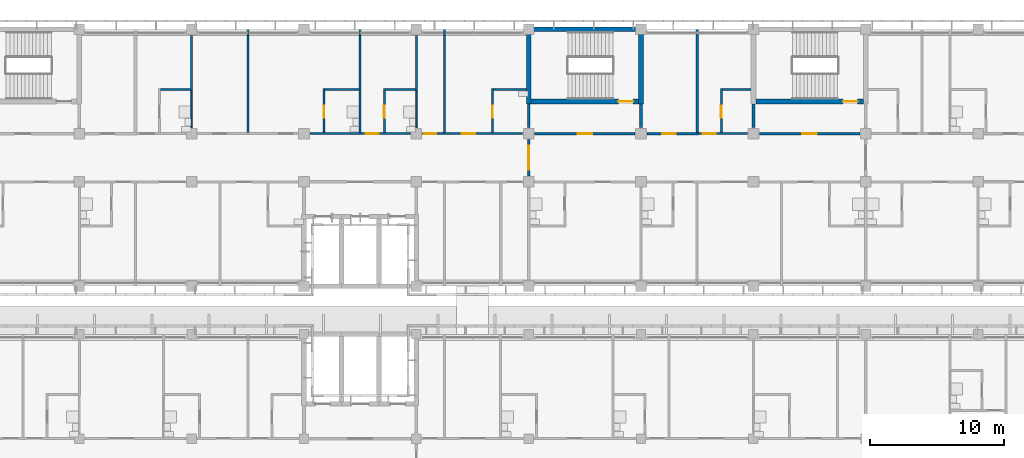
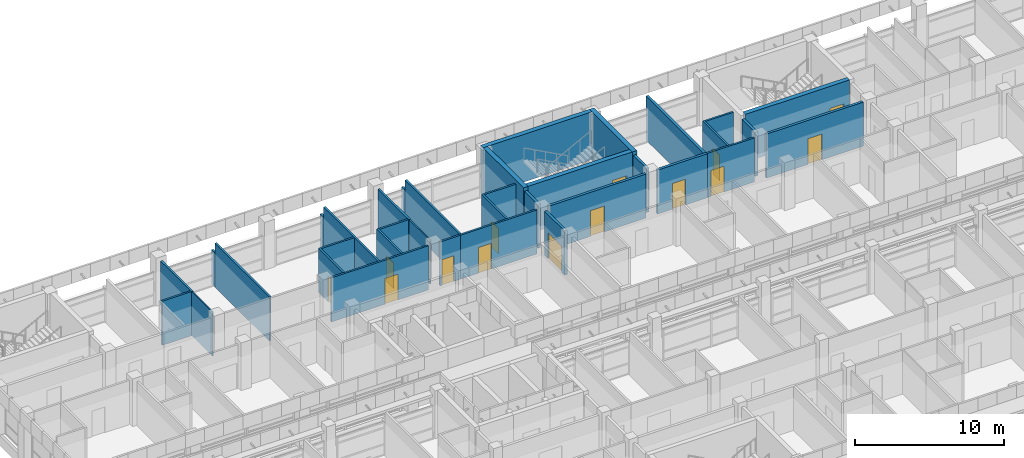
# One storey, part 32 of 71: 36 walls, 14 doors, 14 openings.
"""IFC4 building model written with IfcOpenShell, lengths in metres."""

from ifc_helpers import new_model, si_unit, direction, frame, frame_2d, origin, place, context, subcontext, project, spatial, rectangle, extrude, material, layer, layer_set, type_object, element, fill, save


model = new_model("IFC4")

# Units and contexts
model_context = context("Model", 3, precision=1e-05, world=origin(), true_north=direction((0.0, 1.0)))
body_context = subcontext(model_context, "Body", "Model", "MODEL_VIEW")
ifc_project = project(units=[si_unit("LENGTHUNIT", "METRE"), si_unit("AREAUNIT", "SQUARE_METRE"), si_unit("VOLUMEUNIT", "CUBIC_METRE"), si_unit("PLANEANGLEUNIT", "RADIAN"), si_unit("MASSUNIT", "GRAM", prefix="KILO")], contexts=[model_context])

# Site, building, storey
site_placement = place(None, origin())
site = spatial("IfcSite", under=ifc_project, at=site_placement, CompositionType="ELEMENT")
building_placement = place(site_placement, origin())
building = spatial("IfcBuilding", under=site, at=building_placement, Name="Bougainvillea Quay General Hospital", CompositionType="ELEMENT")
storey_placement = place(building_placement, frame((0.0, 0.0, 24.89990234375)))
storey = spatial("IfcBuildingStorey", under=building, at=storey_placement, Name="L05", CompositionType="ELEMENT", Elevation=24.89990234375)

# Walls
ifc_material_1 = material(Name="Gypsum board partition on steel studs", Category="steel")
ifc_layer_1 = layer(ifc_material_1, 0.10009765625)
ifc_layer_set_1 = layer_set([ifc_layer_1], Name="Gypsum board partition on steel studs")
wall_type_1 = type_object("IfcWallType", Name="Partition 100 Gypsum board partition", PredefinedType="PARTITIONING", material=ifc_layer_set_1)
for number, where, z_axis, x_axis, name in (
    (1, (58.800048828125, 152.25, 0.0), (0.0, 0.0, 1.0), (0.0, 1.0, 0.0), "Partition 100 mm"),
    (2, (75.60009765625, 152.25, 0.0), (0.0, 0.0, 1.0), (0.0, 1.0, 0.0), "Partition 100 mm"),
):
    element("IfcWall", number, at=place(storey_placement, frame(where, z_axis=z_axis, x_axis=x_axis)), inside=storey, type_object=wall_type_1, Name=name, PredefinedType="PARTITIONING", context=body_context, shape_type="SweptSolid", body=[
        extrude(rectangle(XDim=2.77490234375, YDim=0.10009765625, at=frame_2d((1.387451171875, 0.0))), origin(), (0.0, 0.0, 1.0), 3.60009765625),
    ])
ifc_material_2 = material(Name="Gypsum board partition on steel studs, insulated", Category="steel")
ifc_layer_2 = layer(ifc_material_2, 0.14990234375)
ifc_layer_set_2 = layer_set([ifc_layer_2], Name="Gypsum board partition on steel studs, insulated")
wall_type_2 = type_object("IfcWallType", Name="Partition 150 Gypsum board partition", PredefinedType="PARTITIONING", material=ifc_layer_set_2)
wall_1_placement = place(storey_placement, frame((63.0, 151.875, 0.0), z_axis=(0.0, 0.0, 1.0), x_axis=(0.0, 1.0, 0.0)))
element("IfcWall", 3, at=wall_1_placement, inside=storey, type_object=wall_type_2, Name="Partition 150 mm", PredefinedType="PARTITIONING", context=body_context, shape_type="SweptSolid", body=[
    extrude(rectangle(XDim=7.27490234375, YDim=0.14990234375, at=frame_2d((3.637451171875, 0.0))), origin(), (0.0, 0.0, 1.0), 3.60009765625),
])
wall_2_placement = place(storey_placement, frame((63.0, 159.14990234375, 0.0), z_axis=(0.0, 0.0, 1.0), x_axis=(0.0, 1.0, 0.0)))
element("IfcWall", 4, at=wall_2_placement, inside=storey, type_object=wall_type_2, Name="Partition 150 mm", PredefinedType="PARTITIONING", context=body_context, shape_type="SweptSolid", body=[
    extrude(rectangle(XDim=0.4501953125, YDim=0.14990234375, at=frame_2d((0.22509765625, 0.0))), origin(), (0.0, 0.0, 1.0), 2.780029296875),
])
wall_3_placement = place(storey_placement, frame((71.39990234375, 151.875, 0.0), z_axis=(0.0, 0.0, 1.0), x_axis=(0.0, 1.0, 0.0)))
element("IfcWall", 5, at=wall_3_placement, inside=storey, type_object=wall_type_2, Name="Partition 150 mm", PredefinedType="PARTITIONING", context=body_context, shape_type="SweptSolid", body=[
    extrude(rectangle(XDim=7.27490234375, YDim=0.14990234375, at=frame_2d((3.637451171875, 0.0))), origin(), (0.0, 0.0, 1.0), 3.60009765625),
])
wall_4_placement = place(storey_placement, frame((71.39990234375, 159.14990234375, 0.0), z_axis=(0.0, 0.0, 1.0), x_axis=(0.0, 1.0, 0.0)))
element("IfcWall", 6, at=wall_4_placement, inside=storey, type_object=wall_type_2, Name="Partition 150 mm", PredefinedType="PARTITIONING", context=body_context, shape_type="SweptSolid", body=[
    extrude(rectangle(XDim=0.4501953125, YDim=0.14990234375, at=frame_2d((0.22509765625, 0.0))), origin(), (0.0, 0.0, 1.0), 2.780029296875),
])
wall_5_placement = place(storey_placement, frame((77.699951171875, 151.875, 0.0), z_axis=(0.0, 0.0, 1.0), x_axis=(0.0, 1.0, 0.0)))
element("IfcWall", 7, at=wall_5_placement, inside=storey, type_object=wall_type_2, Name="Partition 150 mm", PredefinedType="PARTITIONING", context=body_context, shape_type="SweptSolid", body=[
    extrude(rectangle(XDim=7.27490234375, YDim=0.14990234375, at=frame_2d((3.637451171875, 0.0))), origin(), (0.0, 0.0, 1.0), 3.60009765625),
])
wall_6_placement = place(storey_placement, frame((77.699951171875, 159.14990234375, 0.0), z_axis=(0.0, 0.0, 1.0), x_axis=(0.0, 1.0, 0.0)))
element("IfcWall", 8, at=wall_6_placement, inside=storey, type_object=wall_type_2, Name="Partition 150 mm", PredefinedType="PARTITIONING", context=body_context, shape_type="SweptSolid", body=[
    extrude(rectangle(XDim=0.4501953125, YDim=0.14990234375, at=frame_2d((0.22509765625, 0.0))), origin(), (0.0, 0.0, 1.0), 2.780029296875),
])
for number, where, z_axis, x_axis, name in (
    (9, (58.800048828125, 155.02490234375, 0.0), (0.0, 0.0, 1.0), (0.0, 1.0, 0.0), "Partition 150 mm"),
    (10, (75.60009765625, 155.02490234375, 0.0), (0.0, 0.0, 1.0), (0.0, 1.0, 0.0), "Partition 150 mm"),
):
    element("IfcWall", number, at=place(storey_placement, frame(where, z_axis=z_axis, x_axis=x_axis)), inside=storey, type_object=wall_type_2, Name=name, PredefinedType="PARTITIONING", context=body_context, shape_type="SweptSolid", body=[
        extrude(rectangle(XDim=4.125, YDim=0.14990234375, at=frame_2d((2.0625, 0.0))), origin(), (0.0, 0.0, 1.0), 3.60009765625),
    ])

# Wall, opening, door
wall_7_placement = place(storey_placement, frame((68.699951171875, 151.875, 0.0), z_axis=(0.0, 0.0, 1.0), x_axis=(0.0, 1.0, 0.0)))
wall_7 = element("IfcWall", 11, at=wall_7_placement, inside=storey, type_object=wall_type_2, Name="Partition 150 mm", PredefinedType="PARTITIONING", context=body_context, shape_type="SweptSolid", body=[
    extrude(rectangle(XDim=3.300048828125, YDim=0.14990234375, at=frame_2d((1.64990234375, 0.0))), origin(), (0.0, 0.0, 1.0), 3.60009765625),
])
opening_1_placement = place(wall_7_placement, frame((1.125, 0.0, 0.0)))
opening_1 = element("IfcOpeningElement", 12, at=opening_1_placement, cuts=wall_7, Name="Opening L05.015", PredefinedType="OPENING", context=body_context, shape_type="SweptSolid", body=[
    extrude(rectangle(XDim=0.89990234375, YDim=2.10009765625, at=frame_2d((0.449951171875, 1.050048828125))), frame((0.0, 0.0849609375, 0.0), z_axis=(0.0, -1.0, 0.0), x_axis=(1.0, 0.0, 0.0)), (0.0, 0.0, 1.0), 0.169921875),
])
ifc_material_3 = material(Name="Solid-core timber door leaf in steel frame", Category="steel")
door_type_1 = type_object("IfcDoorType", Name="Single leaf door 900x2100", OperationType="NOTDEFINED", PredefinedType="DOOR", material=ifc_material_3)
door_1_placement = place(opening_1_placement, frame((0.89990234375, 0.0, 0.0), z_axis=(0.0, 0.0, 1.0), x_axis=(-1.0, 0.0, 0.0)))
door_1 = element("IfcDoor", 13, at=door_1_placement, inside=storey, type_object=door_type_1, Name="DT07 L05.015", OperationType="SINGLE_SWING_RIGHT", OverallHeight=2.10009765625, OverallWidth=0.89990234375, PredefinedType="DOOR", context=body_context, shape_type="SweptSolid", body=[
    extrude(rectangle(XDim=0.89990234375, YDim=2.10009765625, at=frame_2d((0.449951171875, 1.050048828125))), frame((0.0, 0.02490234375, 0.0), z_axis=(0.0, -1.0, 0.0), x_axis=(1.0, 0.0, 0.0)), (0.0, 0.0, 1.0), 0.050048828125),
])
fill(opening_1, door_1)

wall_8_placement = place(storey_placement, frame((73.199951171875, 151.875, 0.0), z_axis=(0.0, 0.0, 1.0), x_axis=(0.0, 1.0, 0.0)))
wall_8 = element("IfcWall", 14, at=wall_8_placement, inside=storey, type_object=wall_type_2, Name="Partition 150 mm", PredefinedType="PARTITIONING", context=body_context, shape_type="SweptSolid", body=[
    extrude(rectangle(XDim=3.300048828125, YDim=0.14990234375, at=frame_2d((1.64990234375, 0.0))), origin(), (0.0, 0.0, 1.0), 3.60009765625),
])
opening_2_placement = place(wall_8_placement, frame((1.125, 0.0, 0.0)))
opening_2 = element("IfcOpeningElement", 15, at=opening_2_placement, cuts=wall_8, Name="Opening L05.017", PredefinedType="OPENING", context=body_context, shape_type="SweptSolid", body=[
    extrude(rectangle(XDim=0.89990234375, YDim=2.10009765625, at=frame_2d((0.449951171875, 1.050048828125))), frame((0.0, 0.0849609375, 0.0), z_axis=(0.0, -1.0, 0.0), x_axis=(1.0, 0.0, 0.0)), (0.0, 0.0, 1.0), 0.169921875),
])
door_2_placement = place(opening_2_placement, frame((0.89990234375, 0.0, 0.0), z_axis=(0.0, 0.0, 1.0), x_axis=(-1.0, 0.0, 0.0)))
door_2 = element("IfcDoor", 16, at=door_2_placement, inside=storey, type_object=door_type_1, Name="DT07 L05.017", OperationType="SINGLE_SWING_RIGHT", OverallHeight=2.10009765625, OverallWidth=0.89990234375, PredefinedType="DOOR", context=body_context, shape_type="SweptSolid", body=[
    extrude(rectangle(XDim=0.89990234375, YDim=2.10009765625, at=frame_2d((0.449951171875, 1.050048828125))), frame((0.0, 0.02490234375, 0.0), z_axis=(0.0, -1.0, 0.0), x_axis=(1.0, 0.0, 0.0)), (0.0, 0.0, 1.0), 0.050048828125),
])
fill(opening_2, door_2)

wall_9_placement = place(storey_placement, frame((81.300048828125, 151.875, 0.0), z_axis=(0.0, 0.0, 1.0), x_axis=(0.0, 1.0, 0.0)))
wall_9 = element("IfcWall", 17, at=wall_9_placement, inside=storey, type_object=wall_type_2, Name="Partition 150 mm", PredefinedType="PARTITIONING", context=body_context, shape_type="SweptSolid", body=[
    extrude(rectangle(XDim=3.300048828125, YDim=0.14990234375, at=frame_2d((1.64990234375, 0.0))), origin(), (0.0, 0.0, 1.0), 3.60009765625),
])
opening_3_placement = place(wall_9_placement, frame((1.125, 0.0, 0.0)))
opening_3 = element("IfcOpeningElement", 18, at=opening_3_placement, cuts=wall_9, Name="Opening L05.020", PredefinedType="OPENING", context=body_context, shape_type="SweptSolid", body=[
    extrude(rectangle(XDim=0.89990234375, YDim=2.10009765625, at=frame_2d((0.449951171875, 1.050048828125))), frame((0.0, 0.0849609375, 0.0), z_axis=(0.0, -1.0, 0.0), x_axis=(1.0, 0.0, 0.0)), (0.0, 0.0, 1.0), 0.169921875),
])
door_3_placement = place(opening_3_placement, frame((0.89990234375, 0.0, 0.0), z_axis=(0.0, 0.0, 1.0), x_axis=(-1.0, 0.0, 0.0)))
door_3 = element("IfcDoor", 19, at=door_3_placement, inside=storey, type_object=door_type_1, Name="DT07 L05.020", OperationType="SINGLE_SWING_RIGHT", OverallHeight=2.10009765625, OverallWidth=0.89990234375, PredefinedType="DOOR", context=body_context, shape_type="SweptSolid", body=[
    extrude(rectangle(XDim=0.89990234375, YDim=2.10009765625, at=frame_2d((0.449951171875, 1.050048828125))), frame((0.0, 0.02490234375, 0.0), z_axis=(0.0, -1.0, 0.0), x_axis=(1.0, 0.0, 0.0)), (0.0, 0.0, 1.0), 0.050048828125),
])
fill(opening_3, door_3)

wall_10_placement = place(storey_placement, frame((98.39990234375, 151.875, 0.0), z_axis=(0.0, 0.0, 1.0), x_axis=(0.0, 1.0, 0.0)))
wall_10 = element("IfcWall", 20, at=wall_10_placement, inside=storey, type_object=wall_type_2, Name="Partition 150 mm", PredefinedType="PARTITIONING", context=body_context, shape_type="SweptSolid", body=[
    extrude(rectangle(XDim=3.300048828125, YDim=0.14990234375, at=frame_2d((1.64990234375, 0.0))), origin(), (0.0, 0.0, 1.0), 3.60009765625),
])
opening_4_placement = place(wall_10_placement, frame((1.125, 0.0, 0.0)))
opening_4 = element("IfcOpeningElement", 21, at=opening_4_placement, cuts=wall_10, Name="Opening L05.030", PredefinedType="OPENING", context=body_context, shape_type="SweptSolid", body=[
    extrude(rectangle(XDim=0.89990234375, YDim=2.10009765625, at=frame_2d((0.449951171875, 1.050048828125))), frame((0.0, 0.0849609375, 0.0), z_axis=(0.0, -1.0, 0.0), x_axis=(1.0, 0.0, 0.0)), (0.0, 0.0, 1.0), 0.169921875),
])
door_4_placement = place(opening_4_placement, frame((0.89990234375, 0.0, 0.0), z_axis=(0.0, 0.0, 1.0), x_axis=(-1.0, 0.0, 0.0)))
door_4 = element("IfcDoor", 22, at=door_4_placement, inside=storey, type_object=door_type_1, Name="DT07 L05.030", OperationType="SINGLE_SWING_RIGHT", OverallHeight=2.10009765625, OverallWidth=0.89990234375, PredefinedType="DOOR", context=body_context, shape_type="SweptSolid", body=[
    extrude(rectangle(XDim=0.89990234375, YDim=2.10009765625, at=frame_2d((0.449951171875, 1.050048828125))), frame((0.0, 0.02490234375, 0.0), z_axis=(0.0, -1.0, 0.0), x_axis=(1.0, 0.0, 0.0)), (0.0, 0.0, 1.0), 0.050048828125),
])
fill(opening_4, door_4)

# Walls
wall_11_placement = place(storey_placement, frame((68.77490234375, 155.10009765625, 0.0), z_axis=(0.0, 0.0, 1.0), x_axis=(1.0, 0.0, 0.0)))
element("IfcWall", 23, at=wall_11_placement, inside=storey, type_object=wall_type_2, Name="Partition 150 mm", PredefinedType="PARTITIONING", context=body_context, shape_type="SweptSolid", body=[
    extrude(rectangle(XDim=2.550048828125, YDim=0.14990234375, at=frame_2d((1.27490234375, 0.0))), origin(), (0.0, 0.0, 1.0), 3.60009765625),
])
wall_12_placement = place(storey_placement, frame((81.375, 155.10009765625, 0.0), z_axis=(0.0, 0.0, 1.0), x_axis=(1.0, 0.0, 0.0)))
element("IfcWall", 24, at=wall_12_placement, inside=storey, type_object=wall_type_2, Name="Partition 150 mm", PredefinedType="PARTITIONING", context=body_context, shape_type="SweptSolid", body=[
    extrude(rectangle(XDim=2.449951171875, YDim=0.14990234375, at=frame_2d((1.22509765625, 0.0))), origin(), (0.0, 0.0, 1.0), 3.60009765625),
])
for number, where, z_axis, x_axis, name in (
    (25, (56.47509765625, 155.10009765625, 0.0), (0.0, 0.0, 1.0), (1.0, 0.0, 0.0), "Partition 150 mm"),
    (26, (73.27490234375, 155.10009765625, 0.0), (0.0, 0.0, 1.0), (1.0, 0.0, 0.0), "Partition 150 mm"),
):
    element("IfcWall", number, at=place(storey_placement, frame(where, z_axis=z_axis, x_axis=x_axis)), inside=storey, type_object=wall_type_2, Name=name, PredefinedType="PARTITIONING", context=body_context, shape_type="SweptSolid", body=[
        extrude(rectangle(XDim=2.25, YDim=0.14990234375, at=frame_2d((1.125, 0.0))), origin(), (0.0, 0.0, 1.0), 3.60009765625),
    ])
wall_13_placement = place(storey_placement, frame((98.47509765625, 155.10009765625, 0.0), z_axis=(0.0, 0.0, 1.0), x_axis=(1.0, 0.0, 0.0)))
element("IfcWall", 27, at=wall_13_placement, inside=storey, type_object=wall_type_2, Name="Partition 150 mm", PredefinedType="PARTITIONING", context=body_context, shape_type="SweptSolid", body=[
    extrude(rectangle(XDim=2.14990234375, YDim=0.14990234375, at=frame_2d((1.074951171875, 0.0))), origin(), (0.0, 0.0, 1.0), 3.60009765625),
])

# Wall, opening, door
ifc_layer_3 = layer(ifc_material_2, 0.14990234375)
ifc_layer_set_3 = layer_set([ifc_layer_3], Name="Gypsum board partition on steel studs, insulated")
wall_type_3 = type_object("IfcWallType", Name="Partition 150 Gypsum board partition EI 30", PredefinedType="PARTITIONING", material=ifc_layer_set_3)
wall_14_placement = place(storey_placement, frame((75.14990234375, 151.800048828125, 0.0), z_axis=(0.0, 0.0, 1.0), x_axis=(-1.0, 0.0, 0.0)))
wall_14 = element("IfcWall", 28, at=wall_14_placement, inside=storey, type_object=wall_type_3, Name="Partition 150 mm EI 30", PredefinedType="PARTITIONING", context=body_context, shape_type="SweptSolid", body=[
    extrude(rectangle(XDim=7.5, YDim=0.14990234375, at=frame_2d((3.75, 0.0))), origin(), (0.0, 0.0, 1.0), 3.60009765625),
])
opening_5_placement = place(wall_14_placement, frame((2.35009765625, 0.0, 0.0)))
opening_5 = element("IfcOpeningElement", 29, at=opening_5_placement, cuts=wall_14, Name="Opening L05.016", PredefinedType="OPENING", context=body_context, shape_type="SweptSolid", body=[
    extrude(rectangle(XDim=1.0, YDim=2.10009765625, at=frame_2d((0.5, 1.050048828125))), frame((0.0, 0.0849609375, 0.0), z_axis=(0.0, -1.0, 0.0), x_axis=(1.0, 0.0, 0.0)), (0.0, 0.0, 1.0), 0.169921875),
])
door_type_2 = type_object("IfcDoorType", Name="Single leaf door 1000x2100 FD30S", OperationType="NOTDEFINED", PredefinedType="DOOR", material=ifc_material_3)
door_5_placement = place(opening_5_placement, frame((1.0, 0.0, 0.0), z_axis=(0.0, 0.0, 1.0), x_axis=(-1.0, 0.0, 0.0)))
door_5 = element("IfcDoor", 30, at=door_5_placement, inside=storey, type_object=door_type_2, Name="DT15 L05.016", OperationType="SINGLE_SWING_RIGHT", OverallHeight=2.10009765625, OverallWidth=1.0, PredefinedType="DOOR", context=body_context, shape_type="SweptSolid", body=[
    extrude(rectangle(XDim=1.0, YDim=2.10009765625, at=frame_2d((0.5, 1.050048828125))), frame((0.0, 0.02490234375, 0.0), z_axis=(0.0, -1.0, 0.0), x_axis=(1.0, 0.0, 0.0)), (0.0, 0.0, 1.0), 0.050048828125),
])
fill(opening_5, door_5)

wall_15_placement = place(storey_placement, frame((77.625, 151.800048828125, 0.0), z_axis=(0.0, 0.0, 1.0), x_axis=(1.0, 0.0, 0.0)))
wall_15 = element("IfcWall", 31, at=wall_15_placement, inside=storey, type_object=wall_type_3, Name="Partition 150 mm EI 30", PredefinedType="PARTITIONING", context=body_context, shape_type="SweptSolid", body=[
    extrude(rectangle(XDim=5.925048828125, YDim=0.14990234375, at=frame_2d((2.96240234375, 0.0))), origin(), (0.0, 0.0, 1.0), 3.60009765625),
])
opening_6_placement = place(wall_15_placement, frame((1.375, 0.0, 0.0)))
opening_6 = element("IfcOpeningElement", 32, at=opening_6_placement, cuts=wall_15, Name="Opening L05.019", PredefinedType="OPENING", context=body_context, shape_type="SweptSolid", body=[
    extrude(rectangle(XDim=1.0, YDim=2.10009765625, at=frame_2d((0.5, 1.050048828125))), frame((0.0, 0.0849609375, 0.0), z_axis=(0.0, -1.0, 0.0), x_axis=(1.0, 0.0, 0.0)), (0.0, 0.0, 1.0), 0.169921875),
])
door_6_placement = place(opening_6_placement, origin())
door_6 = element("IfcDoor", 33, at=door_6_placement, inside=storey, type_object=door_type_2, Name="DT15 L05.019", OperationType="SINGLE_SWING_LEFT", OverallHeight=2.10009765625, OverallWidth=1.0, PredefinedType="DOOR", context=body_context, shape_type="SweptSolid", body=[
    extrude(rectangle(XDim=1.0, YDim=2.10009765625, at=frame_2d((0.5, 1.050048828125))), frame((0.0, 0.02490234375, 0.0), z_axis=(0.0, -1.0, 0.0), x_axis=(1.0, 0.0, 0.0)), (0.0, 0.0, 1.0), 0.050048828125),
])
fill(opening_6, door_6)

wall_16_placement = place(storey_placement, frame((96.699951171875, 151.800048828125, 0.0), z_axis=(0.0, 0.0, 1.0), x_axis=(1.0, 0.0, 0.0)))
wall_16 = element("IfcWall", 34, at=wall_16_placement, inside=storey, type_object=wall_type_3, Name="Partition 150 mm EI 30", PredefinedType="PARTITIONING", context=body_context, shape_type="SweptSolid", body=[
    extrude(rectangle(XDim=3.650146484375, YDim=0.14990234375, at=frame_2d((1.8251953125, 0.0))), origin(), (0.0, 0.0, 1.0), 3.60009765625),
])
opening_7_placement = place(wall_16_placement, frame((0.300048828125, 0.0, 0.0)))
opening_7 = element("IfcOpeningElement", 35, at=opening_7_placement, cuts=wall_16, Name="Opening L05.029", PredefinedType="OPENING", context=body_context, shape_type="SweptSolid", body=[
    extrude(rectangle(XDim=1.0, YDim=2.10009765625, at=frame_2d((0.5, 1.050048828125))), frame((0.0, 0.0849609375, 0.0), z_axis=(0.0, -1.0, 0.0), x_axis=(1.0, 0.0, 0.0)), (0.0, 0.0, 1.0), 0.169921875),
])
door_7_placement = place(opening_7_placement, origin())
door_7 = element("IfcDoor", 36, at=door_7_placement, inside=storey, type_object=door_type_2, Name="DT15 L05.029", OperationType="SINGLE_SWING_LEFT", OverallHeight=2.10009765625, OverallWidth=1.0, PredefinedType="DOOR", context=body_context, shape_type="SweptSolid", body=[
    extrude(rectangle(XDim=1.0, YDim=2.10009765625, at=frame_2d((0.5, 1.050048828125))), frame((0.0, 0.02490234375, 0.0), z_axis=(0.0, -1.0, 0.0), x_axis=(1.0, 0.0, 0.0)), (0.0, 0.0, 1.0), 0.050048828125),
])
fill(opening_7, door_7)

ifc_layer_4 = layer(ifc_material_2, 0.14990234375)
ifc_layer_set_4 = layer_set([ifc_layer_4], Name="Gypsum board partition on steel studs, insulated")
wall_type_4 = type_object("IfcWallType", Name="Partition 150 Gypsum board partition EI 60", PredefinedType="PARTITIONING", material=ifc_layer_set_4)
wall_17_placement = place(storey_placement, frame((76.050048828125, 151.800048828125, 0.0), z_axis=(0.0, 0.0, 1.0), x_axis=(1.0, 0.0, 0.0)))
wall_17 = element("IfcWall", 37, at=wall_17_placement, inside=storey, type_object=wall_type_4, Name="Partition 150 mm EI 60", PredefinedType="PARTITIONING", context=body_context, shape_type="SweptSolid", body=[
    extrude(rectangle(XDim=1.574951171875, YDim=0.14990234375, at=frame_2d((0.78759765625, 0.0))), origin(), (0.0, 0.0, 1.0), 3.60009765625),
])
opening_8_placement = place(wall_17_placement, frame((0.14990234375, 0.0, 0.0)))
opening_8 = element("IfcOpeningElement", 38, at=opening_8_placement, cuts=wall_17, Name="Opening L05.018", PredefinedType="OPENING", context=body_context, shape_type="SweptSolid", body=[
    extrude(rectangle(XDim=0.89990234375, YDim=2.10009765625, at=frame_2d((0.449951171875, 1.050048828125))), frame((0.0, 0.0849609375, 0.0), z_axis=(0.0, -1.0, 0.0), x_axis=(1.0, 0.0, 0.0)), (0.0, 0.0, 1.0), 0.169921875),
])
door_type_3 = type_object("IfcDoorType", Name="Single leaf door 900x2100 FD60", OperationType="NOTDEFINED", PredefinedType="DOOR", material=ifc_material_3)
door_8_placement = place(opening_8_placement, origin())
door_8 = element("IfcDoor", 39, at=door_8_placement, inside=storey, type_object=door_type_3, Name="DT18 L05.018", OperationType="SINGLE_SWING_LEFT", OverallHeight=2.10009765625, OverallWidth=0.89990234375, PredefinedType="DOOR", context=body_context, shape_type="SweptSolid", body=[
    extrude(rectangle(XDim=0.89990234375, YDim=2.10009765625, at=frame_2d((0.449951171875, 1.050048828125))), frame((0.0, 0.02490234375, 0.0), z_axis=(0.0, -1.0, 0.0), x_axis=(1.0, 0.0, 0.0)), (0.0, 0.0, 1.0), 0.050048828125),
])
fill(opening_8, door_8)

ifc_material_4 = material(Name="Fire-rated autoclaved aerated block wall, plastered")
ifc_layer_5 = layer(ifc_material_4, 0.199951171875)
ifc_layer_set_5 = layer_set([ifc_layer_5], Name="Fire-rated autoclaved aerated block wall, plastered")
wall_type_5 = type_object("IfcWallType", Name="Partition 200 Fire-rated autoclaved aerated block wall EI 120", PredefinedType="SOLIDWALL", material=ifc_layer_set_5)
wall_18_placement = place(storey_placement, frame((84.0, 148.64990234375, 0.0), z_axis=(0.0, 0.0, 1.0), x_axis=(0.0, 1.0, 0.0)))
wall_18 = element("IfcWall", 40, at=wall_18_placement, inside=storey, type_object=wall_type_5, Name="Partition 200 mm EI 120", PredefinedType="SOLIDWALL", context=body_context, shape_type="SweptSolid", body=[
    extrude(rectangle(XDim=2.7001953125, YDim=0.199951171875, at=frame_2d((1.35009765625, 0.0))), origin(), (0.0, 0.0, 1.0), 3.60009765625),
])
opening_9_placement = place(wall_18_placement, frame((0.449951171875, 0.0, 0.0)))
opening_9 = element("IfcOpeningElement", 41, at=opening_9_placement, cuts=wall_18, Name="Opening L05.001", PredefinedType="OPENING", context=body_context, shape_type="SweptSolid", body=[
    extrude(rectangle(XDim=1.800048828125, YDim=2.10009765625, at=frame_2d((0.89990234375, 1.050048828125))), frame((0.0, 0.10986328125, 0.0), z_axis=(0.0, -1.0, 0.0), x_axis=(1.0, 0.0, 0.0)), (0.0, 0.0, 1.0), 0.219970703125),
])
ifc_material_5 = material(Name="Steel fire door leaves in steel frame", Category="steel")
door_type_4 = type_object("IfcDoorType", Name="Steel double leaf door 1800x2100 FD90", OperationType="DOUBLE_DOOR_SINGLE_SWING", PredefinedType="DOOR", material=ifc_material_5)
door_9_placement = place(opening_9_placement, frame((1.800048828125, 0.0, 0.0), z_axis=(0.0, 0.0, 1.0), x_axis=(-1.0, 0.0, 0.0)))
door_9 = element("IfcDoor", 42, at=door_9_placement, inside=storey, type_object=door_type_4, Name="DT03 L05.001", OperationType="DOUBLE_DOOR_SINGLE_SWING", OverallHeight=2.10009765625, OverallWidth=1.800048828125, PredefinedType="DOOR", context=body_context, shape_type="SweptSolid", body=[
    extrude(rectangle(XDim=1.800048828125, YDim=2.10009765625, at=frame_2d((0.89990234375, 1.050048828125))), frame((0.0, 0.02490234375, 0.0), z_axis=(0.0, -1.0, 0.0), x_axis=(1.0, 0.0, 0.0)), (0.0, 0.0, 1.0), 0.050048828125),
])
fill(opening_9, door_9)

# Wall
wall_19_placement = place(storey_placement, frame((84.0, 152.25, 0.0), z_axis=(0.0, 0.0, 1.0), x_axis=(0.0, 1.0, 0.0)))
element("IfcWall", 43, at=wall_19_placement, inside=storey, type_object=wall_type_5, Name="Partition 200 mm EI 120", PredefinedType="SOLIDWALL", context=body_context, shape_type="SweptSolid", body=[
    extrude(rectangle(XDim=1.77490234375, YDim=0.199951171875, at=frame_2d((0.887451171875, 0.0))), origin(), (0.0, 0.0, 1.0), 3.60009765625),
])

# Wall, opening, door
wall_20_placement = place(storey_placement, frame((84.449951171875, 151.800048828125, 0.0), z_axis=(0.0, 0.0, 1.0), x_axis=(1.0, 0.0, 0.0)))
wall_20 = element("IfcWall", 44, at=wall_20_placement, inside=storey, type_object=wall_type_5, Name="Partition 200 mm EI 120", PredefinedType="SOLIDWALL", context=body_context, shape_type="SweptSolid", body=[
    extrude(rectangle(XDim=7.5, YDim=0.199951171875, at=frame_2d((3.75, 0.0))), origin(), (0.0, 0.0, 1.0), 3.60009765625),
])
opening_10_placement = place(wall_20_placement, frame((3.199951171875, 0.0, 0.0)))
opening_10 = element("IfcOpeningElement", 45, at=opening_10_placement, cuts=wall_20, Name="Opening L05.152", PredefinedType="OPENING", context=body_context, shape_type="SweptSolid", body=[
    extrude(rectangle(XDim=1.10009765625, YDim=2.10009765625, at=frame_2d((0.550048828125, 1.050048828125))), frame((0.0, 0.10986328125, 0.0), z_axis=(0.0, -1.0, 0.0), x_axis=(1.0, 0.0, 0.0)), (0.0, 0.0, 1.0), 0.219970703125),
])
ifc_material_6 = material(Name="Steel fire door leaf in steel frame", Category="steel")
door_type_5 = type_object("IfcDoorType", Name="Steel single leaf door 1100x2100 FD60", OperationType="NOTDEFINED", PredefinedType="DOOR", material=ifc_material_6)
door_10_placement = place(opening_10_placement, origin())
door_10 = element("IfcDoor", 46, at=door_10_placement, inside=storey, type_object=door_type_5, Name="DT04 L05.152", OperationType="SINGLE_SWING_RIGHT", OverallHeight=2.10009765625, OverallWidth=1.10009765625, PredefinedType="DOOR", context=body_context, shape_type="SweptSolid", body=[
    extrude(rectangle(XDim=1.10009765625, YDim=2.10009765625, at=frame_2d((0.550048828125, 1.050048828125))), frame((0.0, 0.02490234375, 0.0), z_axis=(0.0, -1.0, 0.0), x_axis=(1.0, 0.0, 0.0)), (0.0, 0.0, 1.0), 0.050048828125),
])
fill(opening_10, door_10)

wall_21_placement = place(storey_placement, frame((92.85009765625, 151.800048828125, 0.0), z_axis=(0.0, 0.0, 1.0), x_axis=(1.0, 0.0, 0.0)))
wall_21 = element("IfcWall", 47, at=wall_21_placement, inside=storey, type_object=wall_type_5, Name="Partition 200 mm EI 120", PredefinedType="SOLIDWALL", context=body_context, shape_type="SweptSolid", body=[
    extrude(rectangle(XDim=3.849853515625, YDim=0.199951171875, at=frame_2d((1.9248046875, 0.0))), origin(), (0.0, 0.0, 1.0), 3.60009765625),
])
opening_11_placement = place(wall_21_placement, frame((1.14990234375, 0.0, 0.0)))
opening_11 = element("IfcOpeningElement", 48, at=opening_11_placement, cuts=wall_21, Name="Opening L05.069", PredefinedType="OPENING", context=body_context, shape_type="SweptSolid", body=[
    extrude(rectangle(XDim=1.0, YDim=2.10009765625, at=frame_2d((0.5, 1.050048828125))), frame((0.0, 0.10986328125, 0.0), z_axis=(0.0, -1.0, 0.0), x_axis=(1.0, 0.0, 0.0)), (0.0, 0.0, 1.0), 0.219970703125),
])
door_type_6 = type_object("IfcDoorType", Name="Steel single leaf door 1000x2100 FD90", OperationType="NOTDEFINED", PredefinedType="DOOR", material=ifc_material_6)
door_11_placement = place(opening_11_placement, origin())
door_11 = element("IfcDoor", 49, at=door_11_placement, inside=storey, type_object=door_type_6, Name="DT11 L05.069", OperationType="SINGLE_SWING_LEFT", OverallHeight=2.10009765625, OverallWidth=1.0, PredefinedType="DOOR", context=body_context, shape_type="SweptSolid", body=[
    extrude(rectangle(XDim=1.0, YDim=2.10009765625, at=frame_2d((0.5, 1.050048828125))), frame((0.0, 0.02490234375, 0.0), z_axis=(0.0, -1.0, 0.0), x_axis=(1.0, 0.0, 0.0)), (0.0, 0.0, 1.0), 0.050048828125),
])
fill(opening_11, door_11)

# Wall
wall_22_placement = place(storey_placement, frame((92.39990234375, 152.25, 0.0), z_axis=(0.0, 0.0, 1.0), x_axis=(0.0, 1.0, 0.0)))
element("IfcWall", 50, at=wall_22_placement, inside=storey, type_object=wall_type_5, Name="Partition 200 mm EI 120", PredefinedType="SOLIDWALL", context=body_context, shape_type="SweptSolid", body=[
    extrude(rectangle(XDim=1.77490234375, YDim=0.199951171875, at=frame_2d((0.887451171875, 0.0))), origin(), (0.0, 0.0, 1.0), 3.60009765625),
])

# Wall, opening, door
wall_23_placement = place(storey_placement, frame((101.25, 151.800048828125, 0.0), z_axis=(0.0, 0.0, 1.0), x_axis=(1.0, 0.0, 0.0)))
wall_23 = element("IfcWall", 51, at=wall_23_placement, inside=storey, type_object=wall_type_5, Name="Partition 200 mm EI 120", PredefinedType="SOLIDWALL", context=body_context, shape_type="SweptSolid", body=[
    extrude(rectangle(XDim=7.5, YDim=0.199951171875, at=frame_2d((3.75, 0.0))), origin(), (0.0, 0.0, 1.0), 3.60009765625),
])
opening_12_placement = place(wall_23_placement, frame((3.199951171875, 0.0, 0.0)))
opening_12 = element("IfcOpeningElement", 52, at=opening_12_placement, cuts=wall_23, Name="Opening L05.166", PredefinedType="OPENING", context=body_context, shape_type="SweptSolid", body=[
    extrude(rectangle(XDim=1.10009765625, YDim=2.10009765625, at=frame_2d((0.550048828125, 1.050048828125))), frame((0.0, 0.10986328125, 0.0), z_axis=(0.0, -1.0, 0.0), x_axis=(1.0, 0.0, 0.0)), (0.0, 0.0, 1.0), 0.219970703125),
])
door_12_placement = place(opening_12_placement, origin())
door_12 = element("IfcDoor", 53, at=door_12_placement, inside=storey, type_object=door_type_5, Name="DT04 L05.166", OperationType="SINGLE_SWING_RIGHT", OverallHeight=2.10009765625, OverallWidth=1.10009765625, PredefinedType="DOOR", context=body_context, shape_type="SweptSolid", body=[
    extrude(rectangle(XDim=1.10009765625, YDim=2.10009765625, at=frame_2d((0.550048828125, 1.050048828125))), frame((0.0, 0.02490234375, 0.0), z_axis=(0.0, -1.0, 0.0), x_axis=(1.0, 0.0, 0.0)), (0.0, 0.0, 1.0), 0.050048828125),
])
fill(opening_12, door_12)

# Walls
wall_24_placement = place(storey_placement, frame((96.60009765625, 151.89990234375, 0.0), z_axis=(0.0, 0.0, 1.0), x_axis=(0.0, 1.0, 0.0)))
element("IfcWall", 54, at=wall_24_placement, inside=storey, type_object=wall_type_5, Name="Partition 200 mm EI 120", PredefinedType="SOLIDWALL", context=body_context, shape_type="SweptSolid", body=[
    extrude(rectangle(XDim=7.7001953125, YDim=0.199951171875, at=frame_2d((3.85009765625, 0.0))), origin(), (0.0, 0.0, 1.0), 3.60009765625),
])
wall_25_placement = place(storey_placement, frame((100.800048828125, 152.25, 0.0), z_axis=(0.0, 0.0, 1.0), x_axis=(0.0, 1.0, 0.0)))
element("IfcWall", 55, at=wall_25_placement, inside=storey, type_object=wall_type_5, Name="Partition 200 mm EI 120", PredefinedType="SOLIDWALL", context=body_context, shape_type="SweptSolid", body=[
    extrude(rectangle(XDim=1.77490234375, YDim=0.199951171875, at=frame_2d((0.887451171875, 0.0))), origin(), (0.0, 0.0, 1.0), 3.60009765625),
])
ifc_material_7 = material(Name="Concrete C40", Category="concrete")
ifc_layer_6 = layer(ifc_material_7, 0.35009765625)
ifc_layer_set_6 = layer_set([ifc_layer_6], Name="Concrete C40")
wall_type_6 = type_object("IfcWallType", Name="RC SHEAR WALL 350 C40", PredefinedType="SHEAR", material=ifc_layer_set_6)
wall_26_placement = place(storey_placement, frame((83.824951171875, 159.60009765625, 0.0), z_axis=(0.0, 0.0, 1.0), x_axis=(1.0, 0.0, 0.0)))
element("IfcWall", 56, at=wall_26_placement, inside=storey, type_object=wall_type_6, Name="Shear wall L05", PredefinedType="SHEAR", context=body_context, shape_type="SweptSolid", body=[
    extrude(rectangle(XDim=8.400146484375, YDim=0.35009765625, at=frame_2d((4.2001953125, 0.0))), origin(), (0.0, 0.0, 1.0), 3.900146484375),
])
wall_27_placement = place(storey_placement, frame((84.0, 154.02490234375, 0.0), z_axis=(0.0, 0.0, 1.0), x_axis=(0.0, 1.0, 0.0)))
element("IfcWall", 57, at=wall_27_placement, inside=storey, type_object=wall_type_6, Name="Shear wall L05", PredefinedType="SHEAR", context=body_context, shape_type="SweptSolid", body=[
    extrude(rectangle(XDim=5.400146484375, YDim=0.35009765625, at=frame_2d((2.7001953125, 0.0))), origin(), (0.0, 0.0, 1.0), 3.900146484375),
])

# Wall, opening, door
wall_28_placement = place(storey_placement, frame((84.175048828125, 154.199951171875, 0.0), z_axis=(0.0, 0.0, 1.0), x_axis=(1.0, 0.0, 0.0)))
wall_28 = element("IfcWall", 58, at=wall_28_placement, inside=storey, type_object=wall_type_6, Name="Shear wall L05", PredefinedType="SHEAR", context=body_context, shape_type="SweptSolid", body=[
    extrude(rectangle(XDim=8.050048828125, YDim=0.35009765625, at=frame_2d((4.02490234375, 0.0))), origin(), (0.0, 0.0, 1.0), 3.900146484375),
])
opening_13_placement = place(wall_28_placement, frame((6.52490234375, 0.0, 0.0)))
opening_13 = element("IfcOpeningElement", 59, at=opening_13_placement, cuts=wall_28, Name="Opening L05.151", PredefinedType="OPENING", context=body_context, shape_type="SweptSolid", body=[
    extrude(rectangle(XDim=1.10009765625, YDim=2.10009765625, at=frame_2d((0.550048828125, 1.050048828125))), frame((0.0, 0.18505859375, 0.0), z_axis=(0.0, -1.0, 0.0), x_axis=(1.0, 0.0, 0.0)), (0.0, 0.0, 1.0), 0.3701171875),
])
door_13_placement = place(opening_13_placement, origin())
door_13 = element("IfcDoor", 60, at=door_13_placement, inside=storey, type_object=door_type_5, Name="DT04 L05.151", OperationType="SINGLE_SWING_RIGHT", OverallHeight=2.10009765625, OverallWidth=1.10009765625, PredefinedType="DOOR", context=body_context, shape_type="SweptSolid", body=[
    extrude(rectangle(XDim=1.10009765625, YDim=2.10009765625, at=frame_2d((0.550048828125, 1.050048828125))), frame((0.0, 0.02490234375, 0.0), z_axis=(0.0, -1.0, 0.0), x_axis=(1.0, 0.0, 0.0)), (0.0, 0.0, 1.0), 0.050048828125),
])
fill(opening_13, door_13)

# Wall
wall_29_placement = place(storey_placement, frame((92.39990234375, 154.02490234375, 0.0), z_axis=(0.0, 0.0, 1.0), x_axis=(0.0, 1.0, 0.0)))
element("IfcWall", 61, at=wall_29_placement, inside=storey, type_object=wall_type_6, Name="Shear wall L05", PredefinedType="SHEAR", context=body_context, shape_type="SweptSolid", body=[
    extrude(rectangle(XDim=5.75, YDim=0.35009765625, at=frame_2d((2.875, 0.0))), origin(), (0.0, 0.0, 1.0), 3.900146484375),
])

# Wall, opening, door
wall_30_placement = place(storey_placement, frame((100.97509765625, 154.199951171875, 0.0), z_axis=(0.0, 0.0, 1.0), x_axis=(1.0, 0.0, 0.0)))
wall_30 = element("IfcWall", 62, at=wall_30_placement, inside=storey, type_object=wall_type_6, Name="Shear wall L05", PredefinedType="SHEAR", context=body_context, shape_type="SweptSolid", body=[
    extrude(rectangle(XDim=8.0498046875, YDim=0.35009765625, at=frame_2d((4.02490234375, 0.0))), origin(), (0.0, 0.0, 1.0), 3.900146484375),
])
opening_14_placement = place(wall_30_placement, frame((6.52490234375, 0.0, 0.0)))
opening_14 = element("IfcOpeningElement", 63, at=opening_14_placement, cuts=wall_30, Name="Opening L05.165", PredefinedType="OPENING", context=body_context, shape_type="SweptSolid", body=[
    extrude(rectangle(XDim=1.10009765625, YDim=2.10009765625, at=frame_2d((0.550048828125, 1.050048828125))), frame((0.0, 0.18505859375, 0.0), z_axis=(0.0, -1.0, 0.0), x_axis=(1.0, 0.0, 0.0)), (0.0, 0.0, 1.0), 0.3701171875),
])
door_14_placement = place(opening_14_placement, origin())
door_14 = element("IfcDoor", 64, at=door_14_placement, inside=storey, type_object=door_type_5, Name="DT04 L05.165", OperationType="SINGLE_SWING_RIGHT", OverallHeight=2.10009765625, OverallWidth=1.10009765625, PredefinedType="DOOR", context=body_context, shape_type="SweptSolid", body=[
    extrude(rectangle(XDim=1.10009765625, YDim=2.10009765625, at=frame_2d((0.550048828125, 1.050048828125))), frame((0.0, 0.02490234375, 0.0), z_axis=(0.0, -1.0, 0.0), x_axis=(1.0, 0.0, 0.0)), (0.0, 0.0, 1.0), 0.050048828125),
])
fill(opening_14, door_14)

save(model, "model.ifc")
